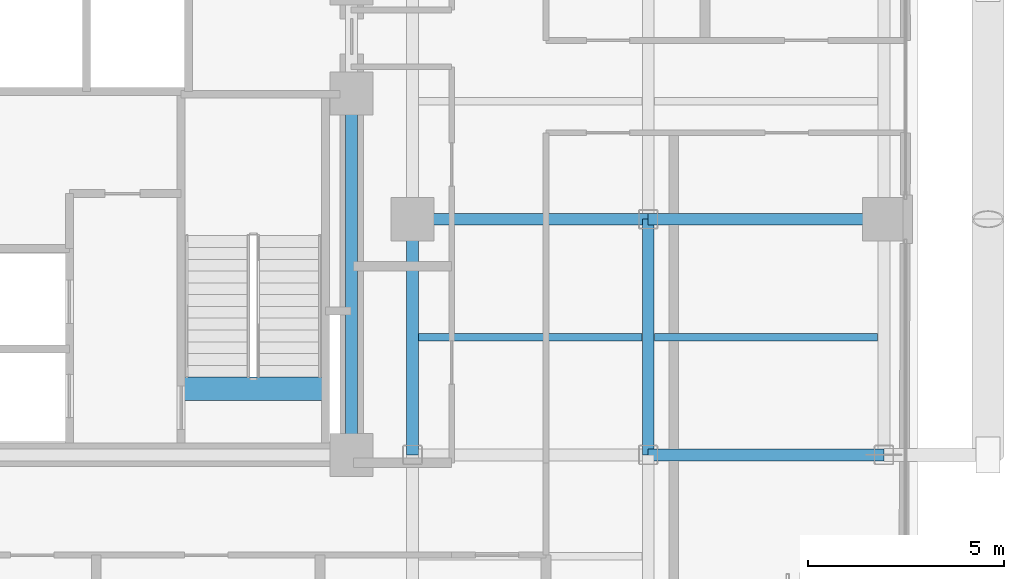
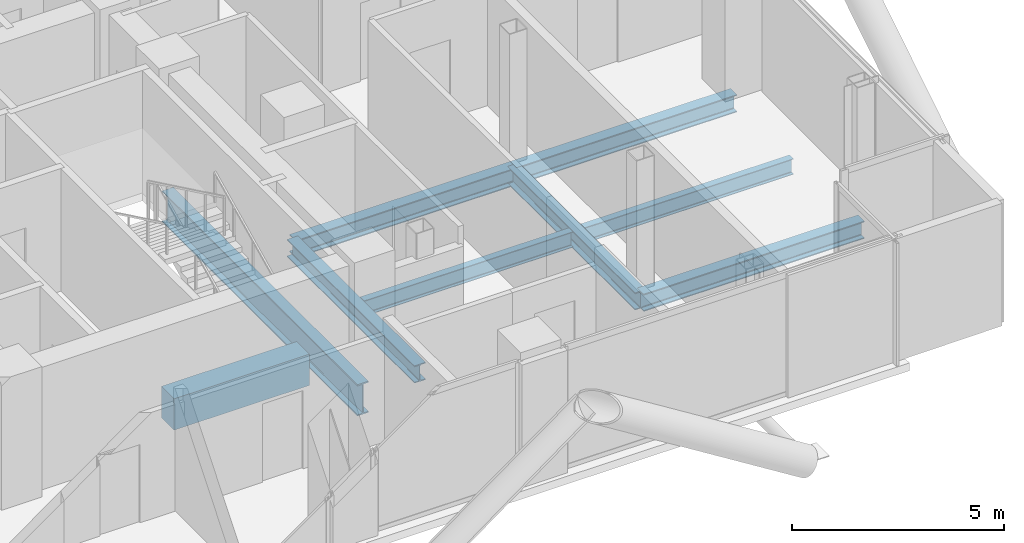
# One storey, part 10 of 24: 9 beams.
"""IFC4 building model written with IfcOpenShell, lengths in metres."""

import ifcopenshell
import ifcopenshell.guid

model = None  # the IFC model being written
_history = None  # IfcOwnerHistory: only IFC2X3 demands one
_inside = {}  # id of a spatial element -> (the spatial element, [elements in it])
_under = {}  # id of a project, library or spatial element -> (it, [spatial elements below it])
_declared = {}  # id of a project -> (the project, [libraries it declares])
_typed = {}  # id of a type object -> (the type object, [elements of that type])
_made_of = {}  # id of a material, layer set ... -> (it, [elements and type objects made of it])


def new_model(schema):
    """Start an empty IFC model of exactly this schema.

    Asked for "IFC4X3", IfcOpenShell would pick the latest addendum, in which some entities
    have other attributes; the version numbers below select the first issue.
    IFC2X3 requires an IfcOwnerHistory on every rooted entity: one is made here for all.
    """
    global model, _history
    if schema == "IFC4X3":
        model = ifcopenshell.file(schema_version=(4, 3, 0, 0))
    else:
        model = ifcopenshell.file(schema=schema)
    _inside.clear()
    _under.clear()
    _declared.clear()
    _typed.clear()
    _made_of.clear()
    _history = None
    if model.schema == "IFC2X3":
        org = make("IfcOrganization", Name="unknown")
        user = make(
            "IfcPersonAndOrganization",
            ThePerson=make("IfcPerson", FamilyName="unknown"),
            TheOrganization=org,
        )
        app = make(
            "IfcApplication",
            ApplicationDeveloper=org,
            Version="unknown",
            ApplicationFullName="unknown",
            ApplicationIdentifier="unknown",
        )
        _history = make(
            "IfcOwnerHistory",
            OwningUser=user,
            OwningApplication=app,
            ChangeAction="ADDED",
            CreationDate=0,
        )
    return model


def make(cls, **values):
    """One entity of the class cls with the attributes given. An attribute that is None is left unset."""
    return model.create_entity(
        cls, **{name: value for name, value in values.items() if value is not None}
    )


def rooted(cls, **values):
    """An entity with a GlobalId (a new one), such as an element, a storey or a relation."""
    return make(cls, GlobalId=ifcopenshell.guid.new(), OwnerHistory=_history, **values)


def si_unit(unit_type, name, prefix=None):
    """IfcSIUnit, for example si_unit("LENGTHUNIT", "METRE", prefix="MILLI")."""
    return make("IfcSIUnit", UnitType=unit_type, Prefix=prefix, Name=name)


def assignment(units):
    """IfcUnitAssignment: the units of a project."""
    return None if units is None else make("IfcUnitAssignment", Units=units)


def point(xyz):
    """IfcCartesianPoint."""
    return None if xyz is None else make("IfcCartesianPoint", Coordinates=xyz)


def direction(xyz):
    """IfcDirection."""
    return None if xyz is None else make("IfcDirection", DirectionRatios=xyz)


def frame(location, z_axis=None, x_axis=None):
    """IfcAxis2Placement3D, a coordinate frame: its origin and axes. An axis left out is left unset."""
    return make(
        "IfcAxis2Placement3D",
        Location=point(location),
        Axis=direction(z_axis),
        RefDirection=direction(x_axis),
    )


def frame_2d(location, x_axis=None):
    """IfcAxis2Placement2D, a coordinate frame in the plane: its origin and x axis."""
    return make(
        "IfcAxis2Placement2D", Location=point(location), RefDirection=direction(x_axis)
    )


def origin():
    """The frame at (0, 0, 0) with its axes left unset."""
    return frame((0.0, 0.0, 0.0))


def origin_2d():
    """The frame at (0, 0) in the plane with its x axis left unset."""
    return frame_2d((0.0, 0.0))


def place(relative_to, where):
    """IfcLocalPlacement: puts the frame where relative to a parent placement (None: the world)."""
    return make(
        "IfcLocalPlacement", PlacementRelTo=relative_to, RelativePlacement=where
    )


def context(
    kind, dimensions, precision=None, world=None, true_north=None, identifier=None
):
    """IfcGeometricRepresentationContext, for example the 3D "Model" context."""
    return make(
        "IfcGeometricRepresentationContext",
        ContextIdentifier=identifier,
        ContextType=kind,
        CoordinateSpaceDimension=dimensions,
        Precision=precision,
        WorldCoordinateSystem=world,
        TrueNorth=true_north,
    )


def subcontext(parent, identifier, kind, view, scale=None):
    """IfcGeometricRepresentationSubContext, for example "Body" below "Model"."""
    return make(
        "IfcGeometricRepresentationSubContext",
        ContextIdentifier=identifier,
        ContextType=kind,
        ParentContext=parent,
        TargetScale=scale,
        TargetView=view,
    )


def project(units=None, contexts=None):
    """IfcProject with its units and contexts."""
    return rooted(
        "IfcProject",
        Name="project",
        RepresentationContexts=contexts,
        UnitsInContext=assignment(units),
    )


def spatial(cls, under=None, at=None, **own):
    """A site, building, storey or space (cls), placed at a placement, below another one or the project."""
    s = rooted(cls, ObjectPlacement=at, **own)
    if under is not None:
        _under.setdefault(under.id(), (under, []))[1].append(s)
    return s


def profile(cls, at=None, kind="AREA", **sizes):
    """A parametric profile (cls). Its sizes go by their IFC names, for example OverallWidth=200.0."""
    return make(cls, ProfileType=kind, Position=at, **sizes)


def rectangle(**sizes):
    """IfcRectangleProfileDef."""
    return profile("IfcRectangleProfileDef", **sizes)


def i_section(**sizes):
    """IfcIShapeProfileDef."""
    return profile("IfcIShapeProfileDef", **sizes)


def extrude(swept, where, along, depth):
    """IfcExtrudedAreaSolid: the profile swept, set in the frame where, extruded along a direction by depth."""
    return make(
        "IfcExtrudedAreaSolid",
        SweptArea=swept,
        Position=where,
        ExtrudedDirection=direction(along),
        Depth=depth,
    )


def shape(context_of_items, identifier, shape_type, items):
    """IfcShapeRepresentation: the items that make up one representation, for example the "Body"."""
    return make(
        "IfcShapeRepresentation",
        ContextOfItems=context_of_items,
        RepresentationIdentifier=identifier,
        RepresentationType=shape_type,
        Items=items,
    )


def material(Name=None, Category=None):
    """IfcMaterial."""
    return make("IfcMaterial", Name=Name, Category=Category)


def material_profile(
    of_material, cross_section, Name=None, Category=None, Priority=None
):
    """IfcMaterialProfile: a cross section and its material."""
    return make(
        "IfcMaterialProfile",
        Name=Name,
        Material=of_material,
        Profile=cross_section,
        Priority=Priority,
        Category=Category,
    )


def profile_set(profiles, Name=None, composite=None):
    """IfcMaterialProfileSet."""
    return make(
        "IfcMaterialProfileSet",
        Name=Name,
        MaterialProfiles=profiles,
        CompositeProfile=composite,
    )


def made_of(thing, what):
    """Note that an element or type object is made of a material, layer set ...; save() writes the relation."""
    if what is not None:
        _made_of.setdefault(what.id(), (what, []))[1].append(thing)
    return thing


def type_object(cls, material=None, **own):
    """A type object (cls), such as IfcWallType, which elements share."""
    return made_of(rooted(cls, **own), material)


def element(
    cls,
    number,
    at=None,
    inside=None,
    cuts=None,
    type_object=None,
    material=None,
    context=None,
    identifier="Body",
    shape_type=None,
    held_by="IfcProductDefinitionShape",
    body=None,
    shapes=None,
    **own,
):
    """One element of the class cls, such as IfcWall. Its Tag is "e" and its number.

    at: its placement. inside: the storey or other place that contains it. cuts: it is an
    opening in that element (IfcRelVoidsElement). A single representation is given by context,
    identifier, shape_type and body (its items); several are given by shapes. held_by: the class
    of the entity that holds the representations. save() writes the other relations.
    """
    e = rooted(cls, Tag="e%d" % number, ObjectPlacement=at, **own)
    if body is not None:
        shapes = [shape(context, identifier, shape_type, body)]
    if shapes is not None:
        e.Representation = make(held_by, Representations=shapes)
    if inside is not None:
        _inside.setdefault(inside.id(), (inside, []))[1].append(e)
    if cuts is not None:
        rooted(
            "IfcRelVoidsElement", RelatingBuildingElement=cuts, RelatedOpeningElement=e
        )
    if type_object is not None:
        _typed.setdefault(type_object.id(), (type_object, []))[1].append(e)
    return made_of(e, material)


def aggregate(whole, parts):
    """IfcRelAggregates: a whole, such as a stair, and the parts it consists of."""
    return rooted("IfcRelAggregates", RelatingObject=whole, RelatedObjects=parts)


def save(model, path):
    """Write the relations noted so far, then the file.

    IfcRelAggregates (storeys below a building ...), IfcRelContainedInSpatialStructure (elements
    in a storey), IfcRelDefinesByType, IfcRelAssociatesMaterial and IfcRelDeclares: one each for
    every whole, place, type object, material and project.
    """
    for whole, parts in _under.values():
        aggregate(whole, parts)
    for where, things in _inside.values():
        rooted(
            "IfcRelContainedInSpatialStructure",
            RelatedElements=things,
            RelatingStructure=where,
        )
    for kind, things in _typed.values():
        rooted("IfcRelDefinesByType", RelatedObjects=things, RelatingType=kind)
    for what, things in _made_of.values():
        rooted("IfcRelAssociatesMaterial", RelatedObjects=things, RelatingMaterial=what)
    for by, libraries in _declared.values():
        rooted("IfcRelDeclares", RelatingContext=by, RelatedDefinitions=libraries)
    model.write(path)


model = new_model("IFC4")

# Units and contexts
model_context = context("Model", 3, precision=1e-05, world=origin(), true_north=direction((0.0, 1.0)))
body_context = subcontext(model_context, "Body", "Model", "MODEL_VIEW")
ifc_project = project(units=[si_unit("LENGTHUNIT", "METRE"), si_unit("AREAUNIT", "SQUARE_METRE"), si_unit("VOLUMEUNIT", "CUBIC_METRE"), si_unit("PLANEANGLEUNIT", "RADIAN"), si_unit("MASSUNIT", "GRAM", prefix="KILO"), si_unit("THERMODYNAMICTEMPERATUREUNIT", "KELVIN"), si_unit("POWERUNIT", "WATT")], contexts=[model_context])

# Site, building, storey
site_placement = place(None, origin())
site = spatial("IfcSite", under=ifc_project, at=site_placement, CompositionType="ELEMENT")
building_placement = place(site_placement, origin())
building = spatial("IfcBuilding", under=site, at=building_placement, Name="Svarakhadi Broadcast Tower", CompositionType="ELEMENT")
storey_placement = place(building_placement, frame((0.0, 0.0, 126.89990234375)))
storey = spatial("IfcBuildingStorey", under=building, at=storey_placement, Name="L30", CompositionType="ELEMENT", Elevation=126.89990234375)

# Beams
ifc_material_1 = material(Name="Steel S355J2 (IS 2062 E350C)", Category="steel")
ifc_material_profile_1 = material_profile(ifc_material_1, i_section(OverallWidth=0.18994140625, OverallDepth=0.449951171875, WebThickness=0.009521484375, FlangeThickness=0.0146484375, FilletRadius=0.02099609375, at=origin_2d()), Name="NPB 450x190x78")
ifc_profile_set_1 = profile_set([ifc_material_profile_1], Name="Steel S355J2 (IS 2062 E350C)")
beam_type_1 = type_object("IfcBeamType", Name="Beam_NPB450", PredefinedType="BEAM", material=ifc_profile_set_1)
for number, where, z_axis, x_axis, name in (
    (1, (35.31005859375, 9.0, -0.449951171875), (1.0, 0.0, 0.0), (0.0, 1.0, 0.0), "L30 Secondary Composite Beam SB020"),
    (2, (41.31005859375, 9.0, -0.449951171875), (1.0, 0.0, 0.0), (0.0, 1.0, 0.0), "L30 Secondary Composite Beam SB022"),
):
    element("IfcBeam", number, at=place(storey_placement, frame(where, z_axis=z_axis, x_axis=x_axis)), inside=storey, type_object=beam_type_1, Name=name, PredefinedType="BEAM", context=body_context, shape_type="SweptSolid", body=[
        extrude(i_section(OverallWidth=0.18994140625, OverallDepth=0.449951171875, WebThickness=0.009521484375, FlangeThickness=0.0146484375, FilletRadius=0.02099609375, at=origin_2d()), origin(), (0.0, 0.0, 1.0), 5.679931640625),
    ])
ifc_material_2 = material(Name="Concrete C50/60 (IS 456 M60)", Category="concrete")
ifc_material_profile_2 = material_profile(ifc_material_2, rectangle(XDim=0.60009765625, YDim=0.89990234375, at=origin_2d()), Name="RC 600x900")
ifc_profile_set_2 = profile_set([ifc_material_profile_2], Name="Concrete C50/60 (IS 456 M60)")
beam_type_2 = type_object("IfcBeamType", Name="Coupling_RC600", PredefinedType="USERDEFINED", material=ifc_profile_set_2)
beam_1_placement = place(storey_placement, frame((29.260009765625, 7.679931640625, -0.449951171875), z_axis=(1.0, 0.0, 0.0), x_axis=(0.0, 1.0, 0.0)))
element("IfcBeam", 3, at=beam_1_placement, inside=storey, type_object=beam_type_2, Name="L30 Stair ST-02 Landing Throat Trimmer Beam CB-01", ObjectType="GIRDER", PredefinedType="USERDEFINED", context=body_context, shape_type="SweptSolid", body=[
    extrude(rectangle(XDim=0.60009765625, YDim=0.89990234375, at=origin_2d()), origin(), (0.0, 0.0, 1.0), 3.679931640625),
])
ifc_material_profile_3 = material_profile(ifc_material_1, i_section(OverallWidth=0.300048828125, OverallDepth=0.5, WebThickness=0.014404296875, FlangeThickness=0.028076171875, FilletRadius=0.027099609375, at=origin_2d()), Name="WPB 500x300x187")
ifc_profile_set_3 = profile_set([ifc_material_profile_3], Name="Steel S355J2 (IS 2062 E350C)")
beam_type_3 = type_object("IfcBeamType", Name="Girder_WPB500", PredefinedType="USERDEFINED", material=ifc_profile_set_3)
for number, where, z_axis, x_axis, name in (
    (4, (41.14990234375, 6.0, -0.474853515625), (1.0, 0.0, 0.0), (0.0, 1.0, 0.0), "L30 Primary E-W Girder G016"),
    (5, (35.14990234375, 12.0, -0.474853515625), (1.0, 0.0, 0.0), (0.0, 1.0, 0.0), "L30 Primary E-W Girder G021"),
    (6, (41.14990234375, 12.0, -0.474853515625), (1.0, 0.0, 0.0), (0.0, 1.0, 0.0), "L30 Primary E-W Girder G022"),
    (7, (35.14990234375, 6.0, -0.474853515625), (0.0, 1.0, 0.0), (-1.0, 0.0, 0.0), "L30 Primary N-S Girder G068"),
    (8, (41.14990234375, 6.0, -0.474853515625), (0.0, 1.0, 0.0), (-1.0, 0.0, 0.0), "L30 Primary N-S Girder G071"),
):
    element("IfcBeam", number, at=place(storey_placement, frame(where, z_axis=z_axis, x_axis=x_axis)), inside=storey, type_object=beam_type_3, Name=name, ObjectType="GIRDER", PredefinedType="USERDEFINED", context=body_context, shape_type="SweptSolid", body=[
        extrude(i_section(OverallWidth=0.300048828125, OverallDepth=0.5, WebThickness=0.014404296875, FlangeThickness=0.028076171875, FilletRadius=0.027099609375, at=origin_2d()), origin(), (0.0, 0.0, 1.0), 6.0),
    ])
ifc_material_3 = material(Name="Steel S460ML (IS 2062 E450BR)", Category="steel")
ifc_material_profile_4 = material_profile(ifc_material_3, i_section(OverallWidth=0.300048828125, OverallDepth=0.89990234375, WebThickness=0.0185546875, FlangeThickness=0.034912109375, FilletRadius=0.030029296875, at=origin_2d()), Name="WPB 900x300x291")
ifc_profile_set_4 = profile_set([ifc_material_profile_4], Name="Steel S460ML (IS 2062 E450BR)")
beam_type_4 = type_object("IfcBeamType", Name="Girder_WPB900", PredefinedType="USERDEFINED", material=ifc_profile_set_4)
beam_2_placement = place(storey_placement, frame((33.60009765625, 6.0, -0.6748046875), z_axis=(0.0, 1.0, 0.0), x_axis=(-1.0, 0.0, 0.0)))
element("IfcBeam", 9, at=beam_2_placement, inside=storey, type_object=beam_type_4, Name="L30 Primary N-S Girder G065", ObjectType="GIRDER", PredefinedType="USERDEFINED", context=body_context, shape_type="SweptSolid", body=[
    extrude(i_section(OverallWidth=0.300048828125, OverallDepth=0.89990234375, WebThickness=0.0185546875, FlangeThickness=0.034912109375, FilletRadius=0.030029296875, at=origin_2d()), origin(), (0.0, 0.0, 1.0), 9.199951171875),
])

save(model, "model.ifc")
